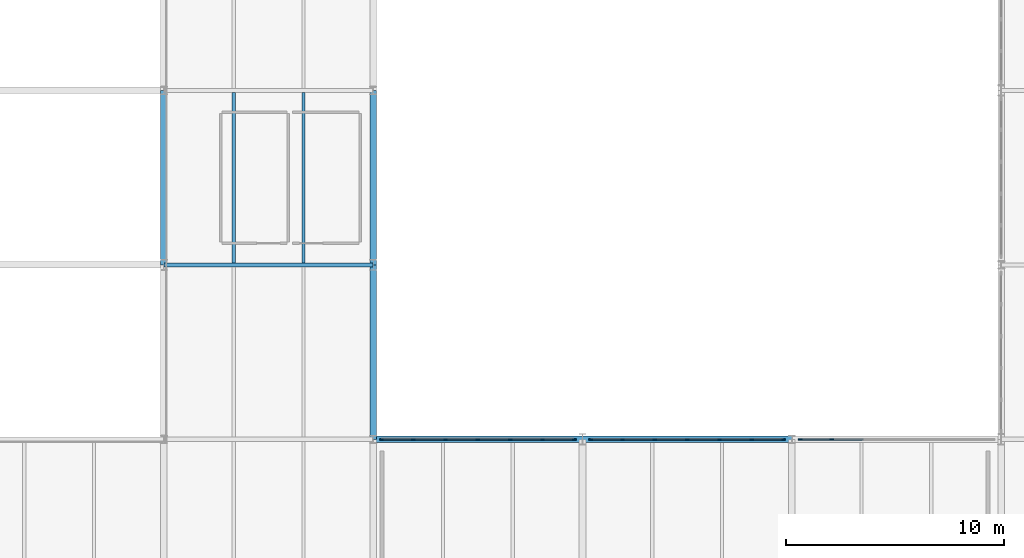
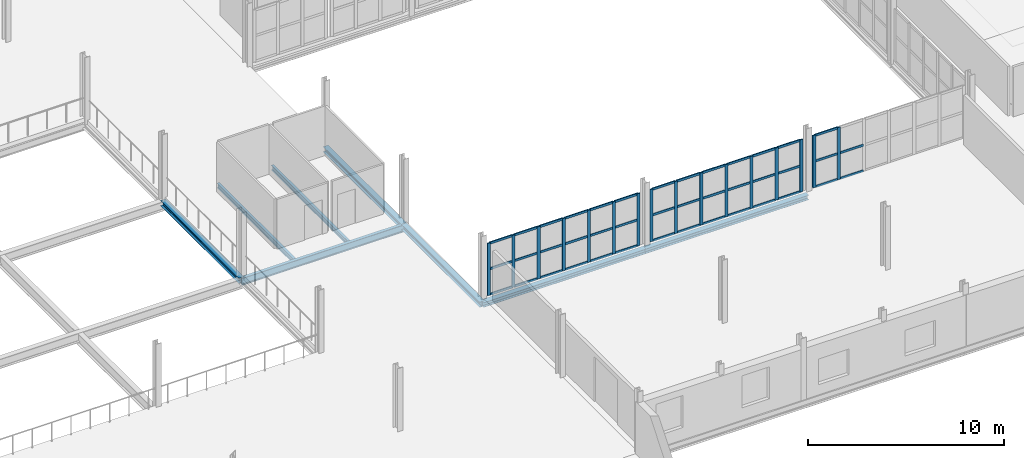
# One storey, part 34 of 78: 57 members, 8 beams, 3 elements without a shape of their own.
"""IFC4 building model written with IfcOpenShell, lengths in metres."""

from ifc_helpers import new_model, si_unit, direction, frame, origin, origin_2d, place, context, subcontext, project, spatial, rectangle, i_section, extrude, material, layer, layer_set, material_profile, profile_set, type_object, element, aggregate, save


model = new_model("IFC4")

# Units and contexts
model_context = context("Model", 3, precision=1e-05, world=origin(), true_north=direction((0.0, 1.0)))
body_context = subcontext(model_context, "Body", "Model", "MODEL_VIEW")
ifc_project = project(units=[si_unit("LENGTHUNIT", "METRE"), si_unit("AREAUNIT", "SQUARE_METRE"), si_unit("VOLUMEUNIT", "CUBIC_METRE"), si_unit("PLANEANGLEUNIT", "RADIAN"), si_unit("MASSUNIT", "GRAM", prefix="KILO")], contexts=[model_context])

# Site, building, storey
site_placement = place(None, origin())
site = spatial("IfcSite", under=ifc_project, at=site_placement, CompositionType="ELEMENT")
building_placement = place(site_placement, origin())
building = spatial("IfcBuilding", under=site, at=building_placement, Name="Alderhovde Museum", CompositionType="ELEMENT")
storey_placement = place(building_placement, frame((0.0, 0.0, 4.5)))
storey = spatial("IfcBuildingStorey", under=building, at=storey_placement, Name="L01", CompositionType="ELEMENT", Elevation=4.5)

# Beams
ifc_material_1 = material(Name="Steel S355J2", Category="steel")
ifc_material_profile_1 = material_profile(ifc_material_1, i_section(OverallWidth=0.300048828125, OverallDepth=0.330078125, WebThickness=0.009521484375, FlangeThickness=0.0166015625, FilletRadius=0.027099609375, at=origin_2d()), Name="HEA 340")
ifc_profile_set_1 = profile_set([ifc_material_profile_1], Name="Steel S355J2")
beam_type_1 = type_object("IfcBeamType", Name="BM-HEA340", PredefinedType="BEAM", material=ifc_profile_set_1)
for number, where, z_axis, x_axis, name in (
    (1, (105.60009765625, 56.0, -0.425048828125), (0.0, 1.0, 0.0), (-1.0, 0.0, 0.0), "L01 Grid Beam X=105.6 (56.0 TO 64.0)"),
    (2, (115.199951171875, 48.0, -0.425048828125), (0.0, 1.0, 0.0), (-1.0, 0.0, 0.0), "L01 Grid Beam X=115.2 (48.0 TO 56.0)"),
    (3, (115.199951171875, 56.0, -0.425048828125), (0.0, 1.0, 0.0), (-1.0, 0.0, 0.0), "L01 Grid Beam X=115.2 (56.0 TO 64.0)"),
):
    element("IfcBeam", number, at=place(storey_placement, frame(where, z_axis=z_axis, x_axis=x_axis)), inside=storey, type_object=beam_type_1, Name=name, PredefinedType="BEAM", context=body_context, shape_type="SweptSolid", body=[
        extrude(i_section(OverallWidth=0.300048828125, OverallDepth=0.330078125, WebThickness=0.009521484375, FlangeThickness=0.0166015625, FilletRadius=0.027099609375, at=origin_2d()), origin(), (0.0, 0.0, 1.0), 8.0),
    ])
ifc_material_2 = material(Name="Steel S355J2", Category="steel")
ifc_material_profile_2 = material_profile(ifc_material_2, i_section(OverallWidth=0.18994140625, OverallDepth=0.449951171875, WebThickness=0.009521484375, FlangeThickness=0.0146484375, FilletRadius=0.02099609375, at=origin_2d()), Name="IPE 450")
ifc_profile_set_2 = profile_set([ifc_material_profile_2], Name="Steel S355J2")
beam_type_2 = type_object("IfcBeamType", Name="BM-IPE450", PredefinedType="BEAM", material=ifc_profile_set_2)
beam_1_placement = place(storey_placement, frame((105.60009765625, 56.0, -0.485107421875), z_axis=(1.0, 0.0, 0.0), x_axis=(0.0, 1.0, 0.0)))
element("IfcBeam", 4, at=beam_1_placement, inside=storey, type_object=beam_type_2, Name="L01 Grid Beam Y=56.0 (105.6 TO 115.2)", PredefinedType="BEAM", context=body_context, shape_type="SweptSolid", body=[
    extrude(i_section(OverallWidth=0.18994140625, OverallDepth=0.449951171875, WebThickness=0.009521484375, FlangeThickness=0.0146484375, FilletRadius=0.02099609375, at=origin_2d()), origin(), (0.0, 0.0, 1.0), 9.599853515625),
])

# Curtain wall, members
ifc_material_3 = material(Name="Triple-Glazed Bronze-Anodised Curtain Wall", Category="glass")
ifc_layer = layer(ifc_material_3, 0.179931640625)
ifc_layer_set = layer_set([ifc_layer], Name="Triple-Glazed Bronze-Anodised Curtain Wall")
curtain_wall_type = type_object("IfcCurtainWallType", Name="CW-STIC-890x326", PredefinedType="USERDEFINED", material=ifc_layer_set)
curtain_wall_1_placement = place(storey_placement, origin())
curtain_wall_1 = element("IfcCurtainWall", 5, at=curtain_wall_1_placement, inside=storey, type_object=curtain_wall_type, Name="L01 Stick Curtain Wall 145", ObjectType="STICK CURTAIN WALL", PredefinedType="USERDEFINED")
ifc_material_4 = material(Name="Bronze-Anodised Aluminium EN AW-6063-T6", Category="aluminium")
ifc_material_profile_3 = material_profile(ifc_material_4, rectangle(XDim=0.06494140625, YDim=0.179931640625, at=origin_2d()), Name="MULLION 65x180")
ifc_profile_set_3 = profile_set([ifc_material_profile_3], Name="Bronze-Anodised Aluminium EN AW-6063-T6")
member_type_1 = type_object("IfcMemberType", Name="CWM-65x180", PredefinedType="MULLION", material=ifc_profile_set_3)
member_1_placement = place(storey_placement, frame((115.58251953125, 48.0, 0.0), z_axis=(0.0, 0.0, 1.0), x_axis=(0.0, 1.0, 0.0)))
member_1 = element("IfcMember", 6, at=member_1_placement, type_object=member_type_1, Name="CW35 mullion 1", PredefinedType="MULLION", context=body_context, shape_type="SweptSolid", body=[
    extrude(rectangle(XDim=0.06494140625, YDim=0.179931640625, at=origin_2d()), origin(), (0.0, 0.0, 1.0), 3.260009765625),
])
member_2_placement = place(storey_placement, frame((117.033447265625, 48.0, 0.0), z_axis=(0.0, 0.0, 1.0), x_axis=(0.0, 1.0, 0.0)))
member_2 = element("IfcMember", 7, at=member_2_placement, type_object=member_type_1, Name="CW35 mullion 2", PredefinedType="MULLION", context=body_context, shape_type="SweptSolid", body=[
    extrude(rectangle(XDim=0.06494140625, YDim=0.179931640625, at=origin_2d()), origin(), (0.0, 0.0, 1.0), 3.260009765625),
])
member_3_placement = place(storey_placement, frame((118.5166015625, 48.0, 0.0), z_axis=(0.0, 0.0, 1.0), x_axis=(0.0, 1.0, 0.0)))
member_3 = element("IfcMember", 8, at=member_3_placement, type_object=member_type_1, Name="CW35 mullion 3", PredefinedType="MULLION", context=body_context, shape_type="SweptSolid", body=[
    extrude(rectangle(XDim=0.06494140625, YDim=0.179931640625, at=origin_2d()), origin(), (0.0, 0.0, 1.0), 3.260009765625),
])
member_4_placement = place(storey_placement, frame((120.0, 48.0, 0.0), z_axis=(0.0, 0.0, 1.0), x_axis=(0.0, 1.0, 0.0)))
member_4 = element("IfcMember", 9, at=member_4_placement, type_object=member_type_1, Name="CW35 mullion 4", PredefinedType="MULLION", context=body_context, shape_type="SweptSolid", body=[
    extrude(rectangle(XDim=0.06494140625, YDim=0.179931640625, at=origin_2d()), origin(), (0.0, 0.0, 1.0), 3.260009765625),
])
member_5_placement = place(storey_placement, frame((121.4833984375, 48.0, 0.0), z_axis=(0.0, 0.0, 1.0), x_axis=(0.0, 1.0, 0.0)))
member_5 = element("IfcMember", 10, at=member_5_placement, type_object=member_type_1, Name="CW35 mullion 5", PredefinedType="MULLION", context=body_context, shape_type="SweptSolid", body=[
    extrude(rectangle(XDim=0.06494140625, YDim=0.179931640625, at=origin_2d()), origin(), (0.0, 0.0, 1.0), 3.260009765625),
])
member_6_placement = place(storey_placement, frame((122.966552734375, 48.0, 0.0), z_axis=(0.0, 0.0, 1.0), x_axis=(0.0, 1.0, 0.0)))
member_6 = element("IfcMember", 11, at=member_6_placement, type_object=member_type_1, Name="CW35 mullion 6", PredefinedType="MULLION", context=body_context, shape_type="SweptSolid", body=[
    extrude(rectangle(XDim=0.06494140625, YDim=0.179931640625, at=origin_2d()), origin(), (0.0, 0.0, 1.0), 3.260009765625),
])
member_7_placement = place(storey_placement, frame((124.41748046875, 48.0, 0.0), z_axis=(0.0, 0.0, 1.0), x_axis=(0.0, 1.0, 0.0)))
member_7 = element("IfcMember", 12, at=member_7_placement, type_object=member_type_1, Name="CW35 mullion 7", PredefinedType="MULLION", context=body_context, shape_type="SweptSolid", body=[
    extrude(rectangle(XDim=0.06494140625, YDim=0.179931640625, at=origin_2d()), origin(), (0.0, 0.0, 1.0), 3.260009765625),
])

curtain_wall_2_placement = place(storey_placement, origin())
curtain_wall_2 = element("IfcCurtainWall", 13, at=curtain_wall_2_placement, inside=storey, type_object=curtain_wall_type, Name="L01 Stick Curtain Wall 148", ObjectType="STICK CURTAIN WALL", PredefinedType="USERDEFINED")
member_8_placement = place(storey_placement, frame((125.1826171875, 48.0, 0.0), z_axis=(0.0, 0.0, 1.0), x_axis=(0.0, 1.0, 0.0)))
member_8 = element("IfcMember", 14, at=member_8_placement, type_object=member_type_1, Name="CW35 mullion 1", PredefinedType="MULLION", context=body_context, shape_type="SweptSolid", body=[
    extrude(rectangle(XDim=0.06494140625, YDim=0.179931640625, at=origin_2d()), origin(), (0.0, 0.0, 1.0), 3.260009765625),
])
member_9_placement = place(storey_placement, frame((126.63330078125, 48.0, 0.0), z_axis=(0.0, 0.0, 1.0), x_axis=(0.0, 1.0, 0.0)))
member_9 = element("IfcMember", 15, at=member_9_placement, type_object=member_type_1, Name="CW35 mullion 2", PredefinedType="MULLION", context=body_context, shape_type="SweptSolid", body=[
    extrude(rectangle(XDim=0.06494140625, YDim=0.179931640625, at=origin_2d()), origin(), (0.0, 0.0, 1.0), 3.260009765625),
])
member_10_placement = place(storey_placement, frame((128.11669921875, 48.0, 0.0), z_axis=(0.0, 0.0, 1.0), x_axis=(0.0, 1.0, 0.0)))
member_10 = element("IfcMember", 16, at=member_10_placement, type_object=member_type_1, Name="CW35 mullion 3", PredefinedType="MULLION", context=body_context, shape_type="SweptSolid", body=[
    extrude(rectangle(XDim=0.06494140625, YDim=0.179931640625, at=origin_2d()), origin(), (0.0, 0.0, 1.0), 3.260009765625),
])
member_11_placement = place(storey_placement, frame((129.60009765625, 48.0, 0.0), z_axis=(0.0, 0.0, 1.0), x_axis=(0.0, 1.0, 0.0)))
member_11 = element("IfcMember", 17, at=member_11_placement, type_object=member_type_1, Name="CW35 mullion 4", PredefinedType="MULLION", context=body_context, shape_type="SweptSolid", body=[
    extrude(rectangle(XDim=0.06494140625, YDim=0.179931640625, at=origin_2d()), origin(), (0.0, 0.0, 1.0), 3.260009765625),
])
member_12_placement = place(storey_placement, frame((131.083251953125, 48.0, 0.0), z_axis=(0.0, 0.0, 1.0), x_axis=(0.0, 1.0, 0.0)))
member_12 = element("IfcMember", 18, at=member_12_placement, type_object=member_type_1, Name="CW35 mullion 5", PredefinedType="MULLION", context=body_context, shape_type="SweptSolid", body=[
    extrude(rectangle(XDim=0.06494140625, YDim=0.179931640625, at=origin_2d()), origin(), (0.0, 0.0, 1.0), 3.260009765625),
])
member_13_placement = place(storey_placement, frame((132.566650390625, 48.0, 0.0), z_axis=(0.0, 0.0, 1.0), x_axis=(0.0, 1.0, 0.0)))
member_13 = element("IfcMember", 19, at=member_13_placement, type_object=member_type_1, Name="CW35 mullion 6", PredefinedType="MULLION", context=body_context, shape_type="SweptSolid", body=[
    extrude(rectangle(XDim=0.06494140625, YDim=0.179931640625, at=origin_2d()), origin(), (0.0, 0.0, 1.0), 3.260009765625),
])
member_14_placement = place(storey_placement, frame((134.017578125, 48.0, 0.0), z_axis=(0.0, 0.0, 1.0), x_axis=(0.0, 1.0, 0.0)))
member_14 = element("IfcMember", 20, at=member_14_placement, type_object=member_type_1, Name="CW35 mullion 7", PredefinedType="MULLION", context=body_context, shape_type="SweptSolid", body=[
    extrude(rectangle(XDim=0.06494140625, YDim=0.179931640625, at=origin_2d()), origin(), (0.0, 0.0, 1.0), 3.260009765625),
])

curtain_wall_3_placement = place(storey_placement, origin())
curtain_wall_3 = element("IfcCurtainWall", 21, at=curtain_wall_3_placement, inside=storey, type_object=curtain_wall_type, Name="L01 Stick Curtain Wall 151", ObjectType="STICK CURTAIN WALL", PredefinedType="USERDEFINED")
member_15_placement = place(storey_placement, frame((134.782470703125, 48.0, 0.0), z_axis=(0.0, 0.0, 1.0), x_axis=(0.0, 1.0, 0.0)))
member_15 = element("IfcMember", 22, at=member_15_placement, type_object=member_type_1, Name="CW35 mullion 1", PredefinedType="MULLION", context=body_context, shape_type="SweptSolid", body=[
    extrude(rectangle(XDim=0.06494140625, YDim=0.179931640625, at=origin_2d()), origin(), (0.0, 0.0, 1.0), 3.260009765625),
])
member_16_placement = place(storey_placement, frame((136.2333984375, 48.0, 0.0), z_axis=(0.0, 0.0, 1.0), x_axis=(0.0, 1.0, 0.0)))
member_16 = element("IfcMember", 23, at=member_16_placement, type_object=member_type_1, Name="CW35 mullion 2", PredefinedType="MULLION", context=body_context, shape_type="SweptSolid", body=[
    extrude(rectangle(XDim=0.06494140625, YDim=0.179931640625, at=origin_2d()), origin(), (0.0, 0.0, 1.0), 3.260009765625),
])

# Member
ifc_material_5 = material(Name="Bronze-Anodised Aluminium EN AW-6063-T6", Category="aluminium")
ifc_material_profile_4 = material_profile(ifc_material_5, rectangle(XDim=0.06494140625, YDim=0.139892578125, at=origin_2d()), Name="TRANSOM 65x140")
ifc_profile_set_4 = profile_set([ifc_material_profile_4], Name="Bronze-Anodised Aluminium EN AW-6063-T6")
member_type_2 = type_object("IfcMemberType", Name="CWT-65x140", PredefinedType="USERDEFINED", material=ifc_profile_set_4)
member_17_placement = place(storey_placement, frame((115.614990234375, 48.0, 0.032470703125), z_axis=(1.0, 0.0, 0.0), x_axis=(0.0, 1.0, 0.0)))
member_17 = element("IfcMember", 24, at=member_17_placement, type_object=member_type_2, Name="CW35 transom 1.1", ObjectType="TRANSOM", PredefinedType="USERDEFINED", context=body_context, shape_type="SweptSolid", body=[
    extrude(rectangle(XDim=0.06494140625, YDim=0.139892578125, at=origin_2d()), origin(), (0.0, 0.0, 1.0), 1.3857421875),
])

member_18_placement = place(storey_placement, frame((115.614990234375, 48.0, 1.6298828125), z_axis=(1.0, 0.0, 0.0), x_axis=(0.0, 1.0, 0.0)))
member_18 = element("IfcMember", 25, at=member_18_placement, type_object=member_type_2, Name="CW35 transom 1.2", ObjectType="TRANSOM", PredefinedType="USERDEFINED", context=body_context, shape_type="SweptSolid", body=[
    extrude(rectangle(XDim=0.06494140625, YDim=0.139892578125, at=origin_2d()), origin(), (0.0, 0.0, 1.0), 1.3857421875),
])

member_19_placement = place(storey_placement, frame((115.614990234375, 48.0, 3.2275390625), z_axis=(1.0, 0.0, 0.0), x_axis=(0.0, 1.0, 0.0)))
member_19 = element("IfcMember", 26, at=member_19_placement, type_object=member_type_2, Name="CW35 transom 1.3", ObjectType="TRANSOM", PredefinedType="USERDEFINED", context=body_context, shape_type="SweptSolid", body=[
    extrude(rectangle(XDim=0.06494140625, YDim=0.139892578125, at=origin_2d()), origin(), (0.0, 0.0, 1.0), 1.3857421875),
])

member_20_placement = place(storey_placement, frame((117.06591796875, 48.0, 0.032470703125), z_axis=(1.0, 0.0, 0.0), x_axis=(0.0, 1.0, 0.0)))
member_20 = element("IfcMember", 27, at=member_20_placement, type_object=member_type_2, Name="CW35 transom 2.1", ObjectType="TRANSOM", PredefinedType="USERDEFINED", context=body_context, shape_type="SweptSolid", body=[
    extrude(rectangle(XDim=0.06494140625, YDim=0.139892578125, at=origin_2d()), origin(), (0.0, 0.0, 1.0), 1.418212890625),
])

member_21_placement = place(storey_placement, frame((117.06591796875, 48.0, 1.6298828125), z_axis=(1.0, 0.0, 0.0), x_axis=(0.0, 1.0, 0.0)))
member_21 = element("IfcMember", 28, at=member_21_placement, type_object=member_type_2, Name="CW35 transom 2.2", ObjectType="TRANSOM", PredefinedType="USERDEFINED", context=body_context, shape_type="SweptSolid", body=[
    extrude(rectangle(XDim=0.06494140625, YDim=0.139892578125, at=origin_2d()), origin(), (0.0, 0.0, 1.0), 1.418212890625),
])

member_22_placement = place(storey_placement, frame((117.06591796875, 48.0, 3.2275390625), z_axis=(1.0, 0.0, 0.0), x_axis=(0.0, 1.0, 0.0)))
member_22 = element("IfcMember", 29, at=member_22_placement, type_object=member_type_2, Name="CW35 transom 2.3", ObjectType="TRANSOM", PredefinedType="USERDEFINED", context=body_context, shape_type="SweptSolid", body=[
    extrude(rectangle(XDim=0.06494140625, YDim=0.139892578125, at=origin_2d()), origin(), (0.0, 0.0, 1.0), 1.418212890625),
])

member_23_placement = place(storey_placement, frame((118.549072265625, 48.0, 0.032470703125), z_axis=(1.0, 0.0, 0.0), x_axis=(0.0, 1.0, 0.0)))
member_23 = element("IfcMember", 30, at=member_23_placement, type_object=member_type_2, Name="CW35 transom 3.1", ObjectType="TRANSOM", PredefinedType="USERDEFINED", context=body_context, shape_type="SweptSolid", body=[
    extrude(rectangle(XDim=0.06494140625, YDim=0.139892578125, at=origin_2d()), origin(), (0.0, 0.0, 1.0), 1.41845703125),
])

member_24_placement = place(storey_placement, frame((118.549072265625, 48.0, 1.6298828125), z_axis=(1.0, 0.0, 0.0), x_axis=(0.0, 1.0, 0.0)))
member_24 = element("IfcMember", 31, at=member_24_placement, type_object=member_type_2, Name="CW35 transom 3.2", ObjectType="TRANSOM", PredefinedType="USERDEFINED", context=body_context, shape_type="SweptSolid", body=[
    extrude(rectangle(XDim=0.06494140625, YDim=0.139892578125, at=origin_2d()), origin(), (0.0, 0.0, 1.0), 1.41845703125),
])

member_25_placement = place(storey_placement, frame((118.549072265625, 48.0, 3.2275390625), z_axis=(1.0, 0.0, 0.0), x_axis=(0.0, 1.0, 0.0)))
member_25 = element("IfcMember", 32, at=member_25_placement, type_object=member_type_2, Name="CW35 transom 3.3", ObjectType="TRANSOM", PredefinedType="USERDEFINED", context=body_context, shape_type="SweptSolid", body=[
    extrude(rectangle(XDim=0.06494140625, YDim=0.139892578125, at=origin_2d()), origin(), (0.0, 0.0, 1.0), 1.41845703125),
])

member_26_placement = place(storey_placement, frame((120.032470703125, 48.0, 0.032470703125), z_axis=(1.0, 0.0, 0.0), x_axis=(0.0, 1.0, 0.0)))
member_26 = element("IfcMember", 33, at=member_26_placement, type_object=member_type_2, Name="CW35 transom 4.1", ObjectType="TRANSOM", PredefinedType="USERDEFINED", context=body_context, shape_type="SweptSolid", body=[
    extrude(rectangle(XDim=0.06494140625, YDim=0.139892578125, at=origin_2d()), origin(), (0.0, 0.0, 1.0), 1.41845703125),
])

member_27_placement = place(storey_placement, frame((120.032470703125, 48.0, 1.6298828125), z_axis=(1.0, 0.0, 0.0), x_axis=(0.0, 1.0, 0.0)))
member_27 = element("IfcMember", 34, at=member_27_placement, type_object=member_type_2, Name="CW35 transom 4.2", ObjectType="TRANSOM", PredefinedType="USERDEFINED", context=body_context, shape_type="SweptSolid", body=[
    extrude(rectangle(XDim=0.06494140625, YDim=0.139892578125, at=origin_2d()), origin(), (0.0, 0.0, 1.0), 1.41845703125),
])

member_28_placement = place(storey_placement, frame((120.032470703125, 48.0, 3.2275390625), z_axis=(1.0, 0.0, 0.0), x_axis=(0.0, 1.0, 0.0)))
member_28 = element("IfcMember", 35, at=member_28_placement, type_object=member_type_2, Name="CW35 transom 4.3", ObjectType="TRANSOM", PredefinedType="USERDEFINED", context=body_context, shape_type="SweptSolid", body=[
    extrude(rectangle(XDim=0.06494140625, YDim=0.139892578125, at=origin_2d()), origin(), (0.0, 0.0, 1.0), 1.41845703125),
])

member_29_placement = place(storey_placement, frame((121.515869140625, 48.0, 0.032470703125), z_axis=(1.0, 0.0, 0.0), x_axis=(0.0, 1.0, 0.0)))
member_29 = element("IfcMember", 36, at=member_29_placement, type_object=member_type_2, Name="CW35 transom 5.1", ObjectType="TRANSOM", PredefinedType="USERDEFINED", context=body_context, shape_type="SweptSolid", body=[
    extrude(rectangle(XDim=0.06494140625, YDim=0.139892578125, at=origin_2d()), origin(), (0.0, 0.0, 1.0), 1.418212890625),
])

member_30_placement = place(storey_placement, frame((121.515869140625, 48.0, 1.6298828125), z_axis=(1.0, 0.0, 0.0), x_axis=(0.0, 1.0, 0.0)))
member_30 = element("IfcMember", 37, at=member_30_placement, type_object=member_type_2, Name="CW35 transom 5.2", ObjectType="TRANSOM", PredefinedType="USERDEFINED", context=body_context, shape_type="SweptSolid", body=[
    extrude(rectangle(XDim=0.06494140625, YDim=0.139892578125, at=origin_2d()), origin(), (0.0, 0.0, 1.0), 1.418212890625),
])

member_31_placement = place(storey_placement, frame((121.515869140625, 48.0, 3.2275390625), z_axis=(1.0, 0.0, 0.0), x_axis=(0.0, 1.0, 0.0)))
member_31 = element("IfcMember", 38, at=member_31_placement, type_object=member_type_2, Name="CW35 transom 5.3", ObjectType="TRANSOM", PredefinedType="USERDEFINED", context=body_context, shape_type="SweptSolid", body=[
    extrude(rectangle(XDim=0.06494140625, YDim=0.139892578125, at=origin_2d()), origin(), (0.0, 0.0, 1.0), 1.418212890625),
])

member_32_placement = place(storey_placement, frame((122.999267578125, 48.0, 0.032470703125), z_axis=(1.0, 0.0, 0.0), x_axis=(0.0, 1.0, 0.0)))
member_32 = element("IfcMember", 39, at=member_32_placement, type_object=member_type_2, Name="CW35 transom 6.1", ObjectType="TRANSOM", PredefinedType="USERDEFINED", context=body_context, shape_type="SweptSolid", body=[
    extrude(rectangle(XDim=0.06494140625, YDim=0.139892578125, at=origin_2d()), origin(), (0.0, 0.0, 1.0), 1.3857421875),
])

member_33_placement = place(storey_placement, frame((122.999267578125, 48.0, 1.6298828125), z_axis=(1.0, 0.0, 0.0), x_axis=(0.0, 1.0, 0.0)))
member_33 = element("IfcMember", 40, at=member_33_placement, type_object=member_type_2, Name="CW35 transom 6.2", ObjectType="TRANSOM", PredefinedType="USERDEFINED", context=body_context, shape_type="SweptSolid", body=[
    extrude(rectangle(XDim=0.06494140625, YDim=0.139892578125, at=origin_2d()), origin(), (0.0, 0.0, 1.0), 1.3857421875),
])

member_34_placement = place(storey_placement, frame((122.999267578125, 48.0, 3.2275390625), z_axis=(1.0, 0.0, 0.0), x_axis=(0.0, 1.0, 0.0)))
member_34 = element("IfcMember", 41, at=member_34_placement, type_object=member_type_2, Name="CW35 transom 6.3", ObjectType="TRANSOM", PredefinedType="USERDEFINED", context=body_context, shape_type="SweptSolid", body=[
    extrude(rectangle(XDim=0.06494140625, YDim=0.139892578125, at=origin_2d()), origin(), (0.0, 0.0, 1.0), 1.3857421875),
])

aggregate(curtain_wall_1, [member_1, member_2, member_3, member_4, member_5, member_6, member_7, member_17, member_18, member_19, member_20, member_21, member_22, member_23, member_24, member_25, member_26, member_27, member_28, member_29, member_30, member_31, member_32, member_33, member_34])

member_35_placement = place(storey_placement, frame((125.215087890625, 48.0, 0.032470703125), z_axis=(1.0, 0.0, 0.0), x_axis=(0.0, 1.0, 0.0)))
member_35 = element("IfcMember", 42, at=member_35_placement, type_object=member_type_2, Name="CW35 transom 1.1", ObjectType="TRANSOM", PredefinedType="USERDEFINED", context=body_context, shape_type="SweptSolid", body=[
    extrude(rectangle(XDim=0.06494140625, YDim=0.139892578125, at=origin_2d()), origin(), (0.0, 0.0, 1.0), 1.3857421875),
])

member_36_placement = place(storey_placement, frame((125.215087890625, 48.0, 1.6298828125), z_axis=(1.0, 0.0, 0.0), x_axis=(0.0, 1.0, 0.0)))
member_36 = element("IfcMember", 43, at=member_36_placement, type_object=member_type_2, Name="CW35 transom 1.2", ObjectType="TRANSOM", PredefinedType="USERDEFINED", context=body_context, shape_type="SweptSolid", body=[
    extrude(rectangle(XDim=0.06494140625, YDim=0.139892578125, at=origin_2d()), origin(), (0.0, 0.0, 1.0), 1.3857421875),
])

member_37_placement = place(storey_placement, frame((125.215087890625, 48.0, 3.2275390625), z_axis=(1.0, 0.0, 0.0), x_axis=(0.0, 1.0, 0.0)))
member_37 = element("IfcMember", 44, at=member_37_placement, type_object=member_type_2, Name="CW35 transom 1.3", ObjectType="TRANSOM", PredefinedType="USERDEFINED", context=body_context, shape_type="SweptSolid", body=[
    extrude(rectangle(XDim=0.06494140625, YDim=0.139892578125, at=origin_2d()), origin(), (0.0, 0.0, 1.0), 1.3857421875),
])

member_38_placement = place(storey_placement, frame((126.665771484375, 48.0, 0.032470703125), z_axis=(1.0, 0.0, 0.0), x_axis=(0.0, 1.0, 0.0)))
member_38 = element("IfcMember", 45, at=member_38_placement, type_object=member_type_2, Name="CW35 transom 2.1", ObjectType="TRANSOM", PredefinedType="USERDEFINED", context=body_context, shape_type="SweptSolid", body=[
    extrude(rectangle(XDim=0.06494140625, YDim=0.139892578125, at=origin_2d()), origin(), (0.0, 0.0, 1.0), 1.41845703125),
])

member_39_placement = place(storey_placement, frame((126.665771484375, 48.0, 1.6298828125), z_axis=(1.0, 0.0, 0.0), x_axis=(0.0, 1.0, 0.0)))
member_39 = element("IfcMember", 46, at=member_39_placement, type_object=member_type_2, Name="CW35 transom 2.2", ObjectType="TRANSOM", PredefinedType="USERDEFINED", context=body_context, shape_type="SweptSolid", body=[
    extrude(rectangle(XDim=0.06494140625, YDim=0.139892578125, at=origin_2d()), origin(), (0.0, 0.0, 1.0), 1.41845703125),
])

member_40_placement = place(storey_placement, frame((126.665771484375, 48.0, 3.2275390625), z_axis=(1.0, 0.0, 0.0), x_axis=(0.0, 1.0, 0.0)))
member_40 = element("IfcMember", 47, at=member_40_placement, type_object=member_type_2, Name="CW35 transom 2.3", ObjectType="TRANSOM", PredefinedType="USERDEFINED", context=body_context, shape_type="SweptSolid", body=[
    extrude(rectangle(XDim=0.06494140625, YDim=0.139892578125, at=origin_2d()), origin(), (0.0, 0.0, 1.0), 1.41845703125),
])

member_41_placement = place(storey_placement, frame((128.149169921875, 48.0, 0.032470703125), z_axis=(1.0, 0.0, 0.0), x_axis=(0.0, 1.0, 0.0)))
member_41 = element("IfcMember", 48, at=member_41_placement, type_object=member_type_2, Name="CW35 transom 3.1", ObjectType="TRANSOM", PredefinedType="USERDEFINED", context=body_context, shape_type="SweptSolid", body=[
    extrude(rectangle(XDim=0.06494140625, YDim=0.139892578125, at=origin_2d()), origin(), (0.0, 0.0, 1.0), 1.418212890625),
])

member_42_placement = place(storey_placement, frame((128.149169921875, 48.0, 1.6298828125), z_axis=(1.0, 0.0, 0.0), x_axis=(0.0, 1.0, 0.0)))
member_42 = element("IfcMember", 49, at=member_42_placement, type_object=member_type_2, Name="CW35 transom 3.2", ObjectType="TRANSOM", PredefinedType="USERDEFINED", context=body_context, shape_type="SweptSolid", body=[
    extrude(rectangle(XDim=0.06494140625, YDim=0.139892578125, at=origin_2d()), origin(), (0.0, 0.0, 1.0), 1.418212890625),
])

member_43_placement = place(storey_placement, frame((128.149169921875, 48.0, 3.2275390625), z_axis=(1.0, 0.0, 0.0), x_axis=(0.0, 1.0, 0.0)))
member_43 = element("IfcMember", 50, at=member_43_placement, type_object=member_type_2, Name="CW35 transom 3.3", ObjectType="TRANSOM", PredefinedType="USERDEFINED", context=body_context, shape_type="SweptSolid", body=[
    extrude(rectangle(XDim=0.06494140625, YDim=0.139892578125, at=origin_2d()), origin(), (0.0, 0.0, 1.0), 1.418212890625),
])

member_44_placement = place(storey_placement, frame((129.632568359375, 48.0, 0.032470703125), z_axis=(1.0, 0.0, 0.0), x_axis=(0.0, 1.0, 0.0)))
member_44 = element("IfcMember", 51, at=member_44_placement, type_object=member_type_2, Name="CW35 transom 4.1", ObjectType="TRANSOM", PredefinedType="USERDEFINED", context=body_context, shape_type="SweptSolid", body=[
    extrude(rectangle(XDim=0.06494140625, YDim=0.139892578125, at=origin_2d()), origin(), (0.0, 0.0, 1.0), 1.418212890625),
])

member_45_placement = place(storey_placement, frame((129.632568359375, 48.0, 1.6298828125), z_axis=(1.0, 0.0, 0.0), x_axis=(0.0, 1.0, 0.0)))
member_45 = element("IfcMember", 52, at=member_45_placement, type_object=member_type_2, Name="CW35 transom 4.2", ObjectType="TRANSOM", PredefinedType="USERDEFINED", context=body_context, shape_type="SweptSolid", body=[
    extrude(rectangle(XDim=0.06494140625, YDim=0.139892578125, at=origin_2d()), origin(), (0.0, 0.0, 1.0), 1.418212890625),
])

member_46_placement = place(storey_placement, frame((129.632568359375, 48.0, 3.2275390625), z_axis=(1.0, 0.0, 0.0), x_axis=(0.0, 1.0, 0.0)))
member_46 = element("IfcMember", 53, at=member_46_placement, type_object=member_type_2, Name="CW35 transom 4.3", ObjectType="TRANSOM", PredefinedType="USERDEFINED", context=body_context, shape_type="SweptSolid", body=[
    extrude(rectangle(XDim=0.06494140625, YDim=0.139892578125, at=origin_2d()), origin(), (0.0, 0.0, 1.0), 1.418212890625),
])

member_47_placement = place(storey_placement, frame((131.11572265625, 48.0, 0.032470703125), z_axis=(1.0, 0.0, 0.0), x_axis=(0.0, 1.0, 0.0)))
member_47 = element("IfcMember", 54, at=member_47_placement, type_object=member_type_2, Name="CW35 transom 5.1", ObjectType="TRANSOM", PredefinedType="USERDEFINED", context=body_context, shape_type="SweptSolid", body=[
    extrude(rectangle(XDim=0.06494140625, YDim=0.139892578125, at=origin_2d()), origin(), (0.0, 0.0, 1.0), 1.41845703125),
])

member_48_placement = place(storey_placement, frame((131.11572265625, 48.0, 1.6298828125), z_axis=(1.0, 0.0, 0.0), x_axis=(0.0, 1.0, 0.0)))
member_48 = element("IfcMember", 55, at=member_48_placement, type_object=member_type_2, Name="CW35 transom 5.2", ObjectType="TRANSOM", PredefinedType="USERDEFINED", context=body_context, shape_type="SweptSolid", body=[
    extrude(rectangle(XDim=0.06494140625, YDim=0.139892578125, at=origin_2d()), origin(), (0.0, 0.0, 1.0), 1.41845703125),
])

member_49_placement = place(storey_placement, frame((131.11572265625, 48.0, 3.2275390625), z_axis=(1.0, 0.0, 0.0), x_axis=(0.0, 1.0, 0.0)))
member_49 = element("IfcMember", 56, at=member_49_placement, type_object=member_type_2, Name="CW35 transom 5.3", ObjectType="TRANSOM", PredefinedType="USERDEFINED", context=body_context, shape_type="SweptSolid", body=[
    extrude(rectangle(XDim=0.06494140625, YDim=0.139892578125, at=origin_2d()), origin(), (0.0, 0.0, 1.0), 1.41845703125),
])

member_50_placement = place(storey_placement, frame((132.59912109375, 48.0, 0.032470703125), z_axis=(1.0, 0.0, 0.0), x_axis=(0.0, 1.0, 0.0)))
member_50 = element("IfcMember", 57, at=member_50_placement, type_object=member_type_2, Name="CW35 transom 6.1", ObjectType="TRANSOM", PredefinedType="USERDEFINED", context=body_context, shape_type="SweptSolid", body=[
    extrude(rectangle(XDim=0.06494140625, YDim=0.139892578125, at=origin_2d()), origin(), (0.0, 0.0, 1.0), 1.385986328125),
])

member_51_placement = place(storey_placement, frame((132.59912109375, 48.0, 1.6298828125), z_axis=(1.0, 0.0, 0.0), x_axis=(0.0, 1.0, 0.0)))
member_51 = element("IfcMember", 58, at=member_51_placement, type_object=member_type_2, Name="CW35 transom 6.2", ObjectType="TRANSOM", PredefinedType="USERDEFINED", context=body_context, shape_type="SweptSolid", body=[
    extrude(rectangle(XDim=0.06494140625, YDim=0.139892578125, at=origin_2d()), origin(), (0.0, 0.0, 1.0), 1.385986328125),
])

member_52_placement = place(storey_placement, frame((132.59912109375, 48.0, 3.2275390625), z_axis=(1.0, 0.0, 0.0), x_axis=(0.0, 1.0, 0.0)))
member_52 = element("IfcMember", 59, at=member_52_placement, type_object=member_type_2, Name="CW35 transom 6.3", ObjectType="TRANSOM", PredefinedType="USERDEFINED", context=body_context, shape_type="SweptSolid", body=[
    extrude(rectangle(XDim=0.06494140625, YDim=0.139892578125, at=origin_2d()), origin(), (0.0, 0.0, 1.0), 1.385986328125),
])

aggregate(curtain_wall_2, [member_8, member_9, member_10, member_11, member_12, member_13, member_14, member_35, member_36, member_37, member_38, member_39, member_40, member_41, member_42, member_43, member_44, member_45, member_46, member_47, member_48, member_49, member_50, member_51, member_52])

member_53_placement = place(storey_placement, frame((134.81494140625, 48.0, 0.032470703125), z_axis=(1.0, 0.0, 0.0), x_axis=(0.0, 1.0, 0.0)))
member_53 = element("IfcMember", 60, at=member_53_placement, type_object=member_type_2, Name="CW35 transom 1.1", ObjectType="TRANSOM", PredefinedType="USERDEFINED", context=body_context, shape_type="SweptSolid", body=[
    extrude(rectangle(XDim=0.06494140625, YDim=0.139892578125, at=origin_2d()), origin(), (0.0, 0.0, 1.0), 1.385986328125),
])

member_54_placement = place(storey_placement, frame((134.81494140625, 48.0, 1.6298828125), z_axis=(1.0, 0.0, 0.0), x_axis=(0.0, 1.0, 0.0)))
member_54 = element("IfcMember", 61, at=member_54_placement, type_object=member_type_2, Name="CW35 transom 1.2", ObjectType="TRANSOM", PredefinedType="USERDEFINED", context=body_context, shape_type="SweptSolid", body=[
    extrude(rectangle(XDim=0.06494140625, YDim=0.139892578125, at=origin_2d()), origin(), (0.0, 0.0, 1.0), 1.385986328125),
])

member_55_placement = place(storey_placement, frame((134.81494140625, 48.0, 3.2275390625), z_axis=(1.0, 0.0, 0.0), x_axis=(0.0, 1.0, 0.0)))
member_55 = element("IfcMember", 62, at=member_55_placement, type_object=member_type_2, Name="CW35 transom 1.3", ObjectType="TRANSOM", PredefinedType="USERDEFINED", context=body_context, shape_type="SweptSolid", body=[
    extrude(rectangle(XDim=0.06494140625, YDim=0.139892578125, at=origin_2d()), origin(), (0.0, 0.0, 1.0), 1.385986328125),
])

member_56_placement = place(storey_placement, frame((136.265869140625, 48.0, 0.032470703125), z_axis=(1.0, 0.0, 0.0), x_axis=(0.0, 1.0, 0.0)))
member_56 = element("IfcMember", 63, at=member_56_placement, type_object=member_type_2, Name="CW35 transom 2.1", ObjectType="TRANSOM", PredefinedType="USERDEFINED", context=body_context, shape_type="SweptSolid", body=[
    extrude(rectangle(XDim=0.06494140625, YDim=0.139892578125, at=origin_2d()), origin(), (0.0, 0.0, 1.0), 1.418212890625),
])

member_57_placement = place(storey_placement, frame((136.265869140625, 48.0, 1.6298828125), z_axis=(1.0, 0.0, 0.0), x_axis=(0.0, 1.0, 0.0)))
member_57 = element("IfcMember", 64, at=member_57_placement, type_object=member_type_2, Name="CW35 transom 2.2", ObjectType="TRANSOM", PredefinedType="USERDEFINED", context=body_context, shape_type="SweptSolid", body=[
    extrude(rectangle(XDim=0.06494140625, YDim=0.139892578125, at=origin_2d()), origin(), (0.0, 0.0, 1.0), 1.418212890625),
])

aggregate(curtain_wall_3, [member_15, member_16, member_53, member_54, member_55, member_56, member_57])

# Beams
ifc_material_6 = material(Name="Steel S355J2", Category="steel")
ifc_material_profile_5 = material_profile(ifc_material_6, i_section(OverallWidth=0.14990234375, OverallDepth=0.300048828125, WebThickness=0.007080078125, FlangeThickness=0.0107421875, FilletRadius=0.014892578125, at=origin_2d()), Name="IPE 300")
ifc_profile_set_5 = profile_set([ifc_material_profile_5], Name="Steel S355J2")
beam_type_3 = type_object("IfcBeamType", Name="JST-IPE300", PredefinedType="JOIST", material=ifc_profile_set_5)
for number, where, z_axis, x_axis, name in (
    (65, (108.800048828125, 56.094970703125, -0.409912109375), (0.0, 1.0, 0.0), (-1.0, 0.0, 0.0), "L01 Composite Joist X=108.8 (56.0 TO 64.0)"),
    (66, (112.0, 56.094970703125, -0.409912109375), (0.0, 1.0, 0.0), (-1.0, 0.0, 0.0), "L01 Composite Joist X=112.0 (56.0 TO 64.0)"),
):
    element("IfcBeam", number, at=place(storey_placement, frame(where, z_axis=z_axis, x_axis=x_axis)), inside=storey, type_object=beam_type_3, Name=name, PredefinedType="JOIST", context=body_context, shape_type="SweptSolid", body=[
        extrude(i_section(OverallWidth=0.14990234375, OverallDepth=0.300048828125, WebThickness=0.007080078125, FlangeThickness=0.0107421875, FilletRadius=0.014892578125, at=origin_2d()), origin(), (0.0, 0.0, 1.0), 7.81005859375),
    ])
ifc_material_7 = material(Name="Steel S355J2", Category="steel")
ifc_material_profile_6 = material_profile(ifc_material_7, i_section(OverallWidth=0.300048828125, OverallDepth=0.2900390625, WebThickness=0.008544921875, FlangeThickness=0.013916015625, FilletRadius=0.027099609375, at=origin_2d()), Name="HEA 300")
ifc_profile_set_6 = profile_set([ifc_material_profile_6], Name="Steel S355J2")
beam_type_4 = type_object("IfcBeamType", Name="SPD-HEA300", PredefinedType="SPANDREL", material=ifc_profile_set_6)
beam_2_placement = place(storey_placement, frame((115.199951171875, 48.0, -0.405029296875), z_axis=(1.0, 0.0, 0.0), x_axis=(0.0, 1.0, 0.0)))
element("IfcBeam", 67, at=beam_2_placement, inside=storey, type_object=beam_type_4, Name="L01 Grid Beam Y=48.0 (115.2 TO 124.8)", PredefinedType="SPANDREL", context=body_context, shape_type="SweptSolid", body=[
    extrude(i_section(OverallWidth=0.300048828125, OverallDepth=0.2900390625, WebThickness=0.008544921875, FlangeThickness=0.013916015625, FilletRadius=0.027099609375, at=origin_2d()), origin(), (0.0, 0.0, 1.0), 9.60009765625),
])
beam_3_placement = place(storey_placement, frame((124.800048828125, 48.0, -0.405029296875), z_axis=(1.0, 0.0, 0.0), x_axis=(0.0, 1.0, 0.0)))
element("IfcBeam", 68, at=beam_3_placement, inside=storey, type_object=beam_type_4, Name="L01 Grid Beam Y=48.0 (124.8 TO 134.4)", PredefinedType="SPANDREL", context=body_context, shape_type="SweptSolid", body=[
    extrude(i_section(OverallWidth=0.300048828125, OverallDepth=0.2900390625, WebThickness=0.008544921875, FlangeThickness=0.013916015625, FilletRadius=0.027099609375, at=origin_2d()), origin(), (0.0, 0.0, 1.0), 9.599853515625),
])

save(model, "model.ifc")
